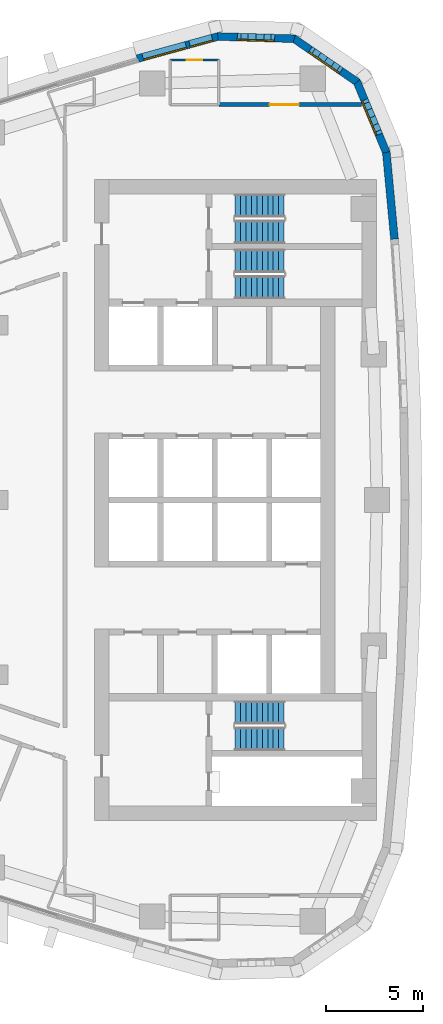
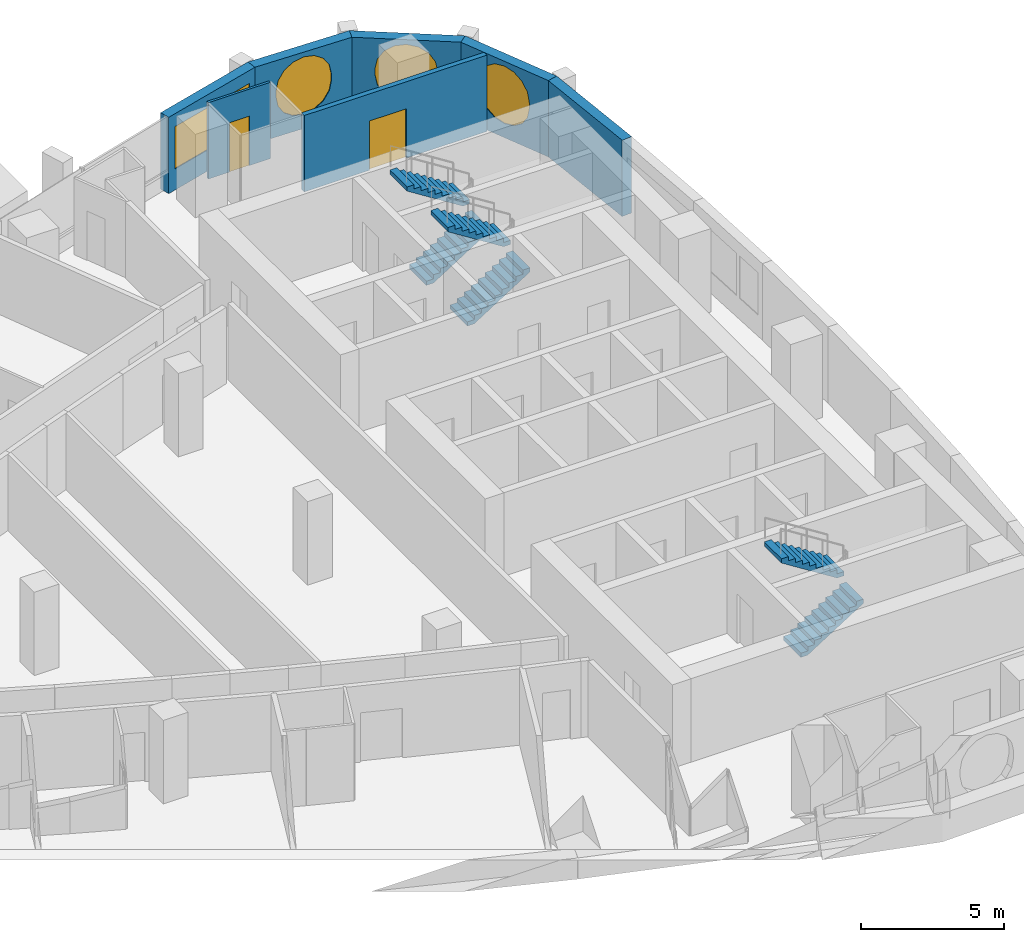
# One storey, part 13 of 17: 7 walls, 6 stair flights, 5 windows, 2 doors, 7 openings, 3 elements without a shape of their own.
"""IFC4 building model written with IfcOpenShell, lengths in metres."""

from ifc_helpers import new_model, si_unit, direction, frame, frame_2d, origin, place, context, subcontext, project, spatial, polyline, rectangle, outline, extrude, material, layer, layer_set, type_object, element, fill, aggregate, save


model = new_model("IFC4")

# Units and contexts
model_context = context("Model", 3, precision=1e-05, world=origin(), true_north=direction((0.0, 1.0)))
body_context = subcontext(model_context, "Body", "Model", "MODEL_VIEW")
ifc_project = project(units=[si_unit("LENGTHUNIT", "METRE"), si_unit("AREAUNIT", "SQUARE_METRE"), si_unit("VOLUMEUNIT", "CUBIC_METRE"), si_unit("PLANEANGLEUNIT", "RADIAN"), si_unit("MASSUNIT", "GRAM", prefix="KILO")], contexts=[model_context])

# Site, building, storey
site_placement = place(None, origin())
site = spatial("IfcSite", under=ifc_project, at=site_placement, CompositionType="ELEMENT")
building_placement = place(site_placement, origin())
building = spatial("IfcBuilding", under=site, at=building_placement, Name="Ostrand Prow Hotel Tower", CompositionType="ELEMENT")
storey_placement = place(building_placement, frame((0.0, 0.0, 196.800048828125)))
storey = spatial("IfcBuildingStorey", under=building, at=storey_placement, Name="L49", CompositionType="ELEMENT", Elevation=196.800048828125)

# Wall, opening, door
ifc_material_1 = material(Name="Plasterboard partition")
ifc_layer_1 = layer(ifc_material_1, 0.10009765625)
ifc_layer_set_1 = layer_set([ifc_layer_1], Name="Plasterboard partition")
wall_type_1 = type_object("IfcWallType", Name="Partition 100 bathroom wall", PredefinedType="PARTITIONING", material=ifc_layer_set_1)
wall_1_placement = place(storey_placement, frame((53.85009765625, 22.64990234375, 0.0), z_axis=(0.0, 0.0, 1.0), x_axis=(1.0, 0.0, 0.0)))
wall_1 = element("IfcWall", 1, at=wall_1_placement, inside=storey, type_object=wall_type_1, Name="BATHROOM WALL", PredefinedType="PARTITIONING", context=body_context, shape_type="SweptSolid", body=[
    extrude(rectangle(XDim=2.5, YDim=0.10009765625, at=frame_2d((1.25, 0.0))), origin(), (0.0, 0.0, 1.0), 3.25),
])
opening_1_placement = place(wall_1_placement, frame((0.85009765625, 0.0, 0.0)))
opening_1 = element("IfcOpeningElement", 2, at=opening_1_placement, cuts=wall_1, Name="Opening D2", PredefinedType="OPENING", context=body_context, shape_type="SweptSolid", body=[
    extrude(rectangle(XDim=0.800048828125, YDim=2.10009765625, at=frame_2d((0.39990234375, 1.050048828125))), frame((0.0, 0.06005859375, 0.0), z_axis=(0.0, -1.0, 0.0), x_axis=(1.0, 0.0, 0.0)), (0.0, 0.0, 1.0), 0.1201171875),
])
ifc_material_2 = material(Name="Timber door leaf", Category="wood")
door_type_1 = type_object("IfcDoorType", Name="Bathroom door 800", OperationType="SINGLE_SWING_LEFT", PredefinedType="DOOR", material=ifc_material_2)
door_1_placement = place(opening_1_placement, origin())
door_1 = element("IfcDoor", 3, at=door_1_placement, inside=storey, type_object=door_type_1, Name="DOOR", OperationType="SINGLE_SWING_LEFT", OverallHeight=2.10009765625, OverallWidth=0.800048828125, PredefinedType="DOOR", context=body_context, shape_type="SweptSolid", body=[
    extrude(rectangle(XDim=0.800048828125, YDim=2.10009765625, at=frame_2d((0.39990234375, 1.050048828125))), frame((0.0, 0.02490234375, 0.0), z_axis=(0.0, -1.0, 0.0), x_axis=(1.0, 0.0, 0.0)), (0.0, 0.0, 1.0), 0.050048828125),
])
fill(opening_1, door_1)

ifc_material_3 = material(Name="Plasterboard partition")
ifc_layer_2 = layer(ifc_material_3, 0.199951171875)
ifc_layer_set_2 = layer_set([ifc_layer_2], Name="Plasterboard partition")
wall_type_2 = type_object("IfcWallType", Name="Partition 200 corridor wall", PredefinedType="PARTITIONING", material=ifc_layer_set_2)
wall_2_placement = place(storey_placement, frame((63.70947265625, 20.35498046875, 0.0), z_axis=(0.0, 0.0, 1.0), x_axis=(-1.0, 0.0, 0.0)))
wall_2 = element("IfcWall", 4, at=wall_2_placement, inside=storey, type_object=wall_type_2, Name="CORRIDOR WALL", PredefinedType="PARTITIONING", context=body_context, shape_type="SweptSolid", body=[
    extrude(rectangle(XDim=7.3544921875, YDim=0.199951171875, at=frame_2d((3.67724609375, 0.0))), origin(), (0.0, 0.0, 1.0), 3.25),
])
opening_2_placement = place(wall_2_placement, frame((3.230712890625, 0.0, 0.0)))
opening_2 = element("IfcOpeningElement", 5, at=opening_2_placement, cuts=wall_2, Name="Opening D15", PredefinedType="OPENING", context=body_context, shape_type="SweptSolid", body=[
    extrude(rectangle(XDim=1.5, YDim=2.10009765625, at=frame_2d((0.75, 1.050048828125))), frame((0.0, 0.10986328125, 0.0), z_axis=(0.0, -1.0, 0.0), x_axis=(1.0, 0.0, 0.0)), (0.0, 0.0, 1.0), 0.219970703125),
])
ifc_material_4 = material(Name="Timber door leaf", Category="wood")
door_type_2 = type_object("IfcDoorType", Name="Double door 1500", OperationType="DOUBLE_DOOR_SINGLE_SWING", PredefinedType="DOOR", material=ifc_material_4)
door_2_placement = place(opening_2_placement, origin())
door_2 = element("IfcDoor", 6, at=door_2_placement, inside=storey, type_object=door_type_2, Name="DOOR", OperationType="DOUBLE_DOOR_SINGLE_SWING", OverallHeight=2.10009765625, OverallWidth=1.5, PredefinedType="DOOR", context=body_context, shape_type="SweptSolid", body=[
    extrude(rectangle(XDim=1.5, YDim=2.10009765625, at=frame_2d((0.75, 1.050048828125))), frame((0.0, 0.02490234375, 0.0), z_axis=(0.0, -1.0, 0.0), x_axis=(1.0, 0.0, 0.0)), (0.0, 0.0, 1.0), 0.050048828125),
])
fill(opening_2, door_2)

# Wall
ifc_material_5 = material(Name="Precast concrete C40/50", Category="concrete")
ifc_layer_3 = layer(ifc_material_5, 0.39990234375)
ifc_layer_set_3 = layer_set([ifc_layer_3], Name="Precast concrete C40/50")
wall_type_3 = type_object("IfcWallType", Name="Stone-faced precast wall 400 mm", PredefinedType="NOTDEFINED", material=ifc_layer_set_3)
wall_3_placement = place(storey_placement, frame((65.400634765625, 13.4287109375, 0.0), z_axis=(0.0, 0.0, 1.0), x_axis=(-0.093605694738, 0.995609348044, 0.0)))
element("IfcWall", 7, at=wall_3_placement, inside=storey, type_object=wall_type_3, Name="Stone-faced wall back 12", PredefinedType="NOTDEFINED", context=body_context, shape_type="SweptSolid", body=[
    extrude(outline(polyline([(-0.002685546875, -0.199951171875), (4.51123046875, -0.199951171875), (4.45068359375, 0.199951171875), (0.002685546875, 0.199951171875), (-0.002685546875, -0.199951171875)])), origin(), (0.0, 0.0, 1.0), 3.25),
])

# Wall, opening, window
wall_4_placement = place(storey_placement, frame((64.981201171875, 17.889892578125, 0.0), z_axis=(0.0, 0.0, 1.0), x_axis=(-0.383997619794, 0.923334082547, 0.0)))
wall_4 = element("IfcWall", 8, at=wall_4_placement, inside=storey, type_object=wall_type_3, Name="Stone-faced wall back 13", PredefinedType="NOTDEFINED", context=body_context, shape_type="SweptSolid", body=[
    extrude(outline(polyline([(-0.0302734375, -0.199951171875), (3.98828125, -0.199951171875), (3.8701171875, 0.199951171875), (0.0302734375, 0.199951171875), (-0.0302734375, -0.199951171875)])), origin(), (0.0, 0.0, 1.0), 3.25),
])
opening_3_placement = place(wall_4_placement, frame((0.864501953125, 0.0, 0.60009765625)))
opening_3 = element("IfcOpeningElement", 9, at=opening_3_placement, cuts=wall_4, Name="Opening WP1", PredefinedType="OPENING", context=body_context, shape_type="SweptSolid", body=[
    extrude(outline(polyline([(0.0, 1.35009765625), (0.083740234375, 1.77099609375), (0.322265625, 2.127685546875), (0.678955078125, 2.3662109375), (1.10009765625, 2.449951171875), (1.52099609375, 2.3662109375), (1.877685546875, 2.127685546875), (2.1162109375, 1.77099609375), (2.199951171875, 1.35009765625), (2.199951171875, 1.10009765625), (2.1162109375, 0.678955078125), (1.877685546875, 0.322265625), (1.52099609375, 0.083740234375), (1.10009765625, 0.0), (0.678955078125, 0.083740234375), (0.322265625, 0.322265625), (0.083740234375, 0.678955078125), (0.0, 1.099853515625), (0.0, 1.35009765625)])), frame((0.0, 0.2099609375, 0.0), z_axis=(0.0, -1.0, 0.0), x_axis=(1.0, 0.0, 0.0)), (0.0, 0.0, 1.0), 0.419921875),
])
ifc_material_6 = material(Name="Insulated glass in bronze frame", Category="glass")
window_type_1 = type_object("IfcWindowType", Name="Round-ended prow window 2200x2450", PartitioningType="SINGLE_PANEL", PredefinedType="WINDOW", material=ifc_material_6)
window_1_placement = place(opening_3_placement, origin())
window_1 = element("IfcWindow", 10, at=window_1_placement, inside=storey, type_object=window_type_1, Name="Window back 13.1", OverallHeight=2.449951171875, OverallWidth=2.199951171875, PartitioningType="SINGLE_PANEL", PredefinedType="WINDOW", context=body_context, shape_type="SweptSolid", body=[
    extrude(outline(polyline([(0.0, 1.35009765625), (0.083740234375, 1.77099609375), (0.322265625, 2.127685546875), (0.678955078125, 2.3662109375), (1.10009765625, 2.449951171875), (1.52099609375, 2.3662109375), (1.877685546875, 2.127685546875), (2.1162109375, 1.77099609375), (2.199951171875, 1.35009765625), (2.199951171875, 1.10009765625), (2.1162109375, 0.678955078125), (1.877685546875, 0.322265625), (1.52099609375, 0.083740234375), (1.10009765625, 0.0), (0.678955078125, 0.083740234375), (0.322265625, 0.322265625), (0.083740234375, 0.678955078125), (0.0, 1.099853515625), (0.0, 1.35009765625)])), frame((0.0, 0.169921875, 0.0), z_axis=(0.0, -1.0, 0.0), x_axis=(1.0, 0.0, 0.0)), (0.0, 0.0, 1.0), 0.06005859375),
])
fill(opening_3, window_1)

wall_5_placement = place(storey_placement, frame((63.472412109375, 21.517822265625, 0.0), z_axis=(0.0, 0.0, 1.0), x_axis=(-0.823806162588, 0.566871596115, 0.0)))
wall_5 = element("IfcWall", 11, at=wall_5_placement, inside=storey, type_object=wall_type_3, Name="Stone-faced wall back 14", PredefinedType="NOTDEFINED", context=body_context, shape_type="SweptSolid", body=[
    extrude(outline(polyline([(-0.05908203125, -0.199951171875), (3.98828125, -0.199951171875), (3.8701171875, 0.199951171875), (0.05908203125, 0.199951171875), (-0.05908203125, -0.199951171875)])), origin(), (0.0, 0.0, 1.0), 3.25),
])
opening_4_placement = place(wall_5_placement, frame((0.864501953125, 0.0, 0.60009765625)))
opening_4 = element("IfcOpeningElement", 12, at=opening_4_placement, cuts=wall_5, Name="Opening WP1", PredefinedType="OPENING", context=body_context, shape_type="SweptSolid", body=[
    extrude(outline(polyline([(0.0, 1.35009765625), (0.083740234375, 1.77099609375), (0.322265625, 2.127685546875), (0.678955078125, 2.3662109375), (1.10009765625, 2.449951171875), (1.52099609375, 2.3662109375), (1.877685546875, 2.127685546875), (2.1162109375, 1.77099609375), (2.199951171875, 1.35009765625), (2.199951171875, 1.10009765625), (2.1162109375, 0.678955078125), (1.877685546875, 0.322265625), (1.52099609375, 0.083740234375), (1.10009765625, 0.0), (0.678955078125, 0.083740234375), (0.322265625, 0.322265625), (0.083740234375, 0.678955078125), (0.0, 1.099853515625), (0.0, 1.35009765625)])), frame((0.0, 0.2099609375, 0.0), z_axis=(0.0, -1.0, 0.0), x_axis=(1.0, 0.0, 0.0)), (0.0, 0.0, 1.0), 0.419921875),
])
window_2_placement = place(opening_4_placement, origin())
window_2 = element("IfcWindow", 13, at=window_2_placement, inside=storey, type_object=window_type_1, Name="Window back 14.1", OverallHeight=2.449951171875, OverallWidth=2.199951171875, PartitioningType="SINGLE_PANEL", PredefinedType="WINDOW", context=body_context, shape_type="SweptSolid", body=[
    extrude(outline(polyline([(0.0, 1.35009765625), (0.083740234375, 1.77099609375), (0.322265625, 2.127685546875), (0.678955078125, 2.3662109375), (1.10009765625, 2.449951171875), (1.52099609375, 2.3662109375), (1.877685546875, 2.127685546875), (2.1162109375, 1.77099609375), (2.199951171875, 1.35009765625), (2.199951171875, 1.10009765625), (2.1162109375, 0.678955078125), (1.877685546875, 0.322265625), (1.52099609375, 0.083740234375), (1.10009765625, 0.0), (0.678955078125, 0.083740234375), (0.322265625, 0.322265625), (0.083740234375, 0.678955078125), (0.0, 1.099853515625), (0.0, 1.35009765625)])), frame((0.0, 0.169921875, 0.0), z_axis=(0.0, -1.0, 0.0), x_axis=(1.0, 0.0, 0.0)), (0.0, 0.0, 1.0), 0.06005859375),
])
fill(opening_4, window_2)

wall_6_placement = place(storey_placement, frame((60.235595703125, 23.7451171875, 0.0), z_axis=(0.0, 0.0, 1.0), x_axis=(-0.999587920197, 0.028705222472, 0.0)))
wall_6 = element("IfcWall", 14, at=wall_6_placement, inside=storey, type_object=wall_type_3, Name="Stone-faced wall back 15", PredefinedType="NOTDEFINED", context=body_context, shape_type="SweptSolid", body=[
    extrude(outline(polyline([(-0.05908203125, -0.199951171875), (3.959228515625, -0.199951171875), (3.899658203125, 0.199951171875), (0.05908203125, 0.199951171875), (-0.05908203125, -0.199951171875)])), origin(), (0.0, 0.0, 1.0), 3.25),
])
opening_5_placement = place(wall_6_placement, frame((0.864501953125, 0.0, 0.60009765625)))
opening_5 = element("IfcOpeningElement", 15, at=opening_5_placement, cuts=wall_6, Name="Opening WP1", PredefinedType="OPENING", context=body_context, shape_type="SweptSolid", body=[
    extrude(outline(polyline([(0.0, 1.35009765625), (0.083740234375, 1.77099609375), (0.322265625, 2.127685546875), (0.678955078125, 2.3662109375), (1.10009765625, 2.449951171875), (1.52099609375, 2.3662109375), (1.877685546875, 2.127685546875), (2.1162109375, 1.77099609375), (2.199951171875, 1.35009765625), (2.199951171875, 1.10009765625), (2.1162109375, 0.678955078125), (1.877685546875, 0.322265625), (1.52099609375, 0.083740234375), (1.10009765625, 0.0), (0.678955078125, 0.083740234375), (0.322265625, 0.322265625), (0.083740234375, 0.678955078125), (0.0, 1.099853515625), (0.0, 1.35009765625)])), frame((0.0, 0.2099609375, 0.0), z_axis=(0.0, -1.0, 0.0), x_axis=(1.0, 0.0, 0.0)), (0.0, 0.0, 1.0), 0.419921875),
])
window_3_placement = place(opening_5_placement, origin())
window_3 = element("IfcWindow", 16, at=window_3_placement, inside=storey, type_object=window_type_1, Name="Window back 15.1", OverallHeight=2.449951171875, OverallWidth=2.199951171875, PartitioningType="SINGLE_PANEL", PredefinedType="WINDOW", context=body_context, shape_type="SweptSolid", body=[
    extrude(outline(polyline([(0.0, 1.35009765625), (0.083740234375, 1.77099609375), (0.322265625, 2.127685546875), (0.678955078125, 2.3662109375), (1.10009765625, 2.449951171875), (1.52099609375, 2.3662109375), (1.877685546875, 2.127685546875), (2.1162109375, 1.77099609375), (2.199951171875, 1.35009765625), (2.199951171875, 1.10009765625), (2.1162109375, 0.678955078125), (1.877685546875, 0.322265625), (1.52099609375, 0.083740234375), (1.10009765625, 0.0), (0.678955078125, 0.083740234375), (0.322265625, 0.322265625), (0.083740234375, 0.678955078125), (0.0, 1.099853515625), (0.0, 1.35009765625)])), frame((0.0, 0.169921875, 0.0), z_axis=(0.0, -1.0, 0.0), x_axis=(1.0, 0.0, 0.0)), (0.0, 0.0, 1.0), 0.06005859375),
])
fill(opening_5, window_3)

# Wall, openings, windows
wall_7_placement = place(storey_placement, frame((56.307861328125, 23.85791015625, 0.0), z_axis=(0.0, 0.0, 1.0), x_axis=(-0.964205755089, -0.265155165617, 0.0)))
wall_7 = element("IfcWall", 17, at=wall_7_placement, inside=storey, type_object=wall_type_3, Name="Stone-faced wall back 16", PredefinedType="NOTDEFINED", context=body_context, shape_type="SweptSolid", body=[
    extrude(outline(polyline([(-0.02978515625, -0.199951171875), (4.30712890625, -0.199951171875), (4.30712890625, 0.199951171875), (0.02978515625, 0.199951171875), (-0.02978515625, -0.199951171875)])), origin(), (0.0, 0.0, 1.0), 3.25),
])
opening_6_placement = place(wall_7_placement, frame((0.303466796875, 0.0, 0.89990234375)))
opening_6 = element("IfcOpeningElement", 18, at=opening_6_placement, cuts=wall_7, Name="Opening WS4", PredefinedType="OPENING", context=body_context, shape_type="SweptSolid", body=[
    extrude(rectangle(XDim=1.199951171875, YDim=1.800048828125, at=frame_2d((0.60009765625, 0.89990234375))), frame((0.0, 0.2099609375, 0.0), z_axis=(0.0, -1.0, 0.0), x_axis=(1.0, 0.0, 0.0)), (0.0, 0.0, 1.0), 0.419921875),
])
opening_7_placement = place(wall_7_placement, frame((1.70361328125, 0.0, 0.89990234375)))
opening_7 = element("IfcOpeningElement", 19, at=opening_7_placement, cuts=wall_7, Name="Opening WS5-23", PredefinedType="OPENING", context=body_context, shape_type="SweptSolid", body=[
    extrude(rectangle(XDim=2.300048828125, YDim=1.800048828125, at=frame_2d((1.14990234375, 0.89990234375))), frame((0.0, 0.2099609375, 0.0), z_axis=(0.0, -1.0, 0.0), x_axis=(1.0, 0.0, 0.0)), (0.0, 0.0, 1.0), 0.419921875),
])
ifc_material_7 = material(Name="Insulated glass in bronze frame", Category="glass")
window_type_2 = type_object("IfcWindowType", Name="Fixed strip window 2300x1800", PartitioningType="SINGLE_PANEL", PredefinedType="WINDOW", material=ifc_material_7)
window_4_placement = place(opening_7_placement, origin())
window_4 = element("IfcWindow", 20, at=window_4_placement, inside=storey, type_object=window_type_2, Name="Window back 16.2", OverallHeight=1.800048828125, OverallWidth=2.300048828125, PartitioningType="SINGLE_PANEL", PredefinedType="WINDOW", context=body_context, shape_type="SweptSolid", body=[
    extrude(rectangle(XDim=2.300048828125, YDim=1.800048828125, at=frame_2d((1.14990234375, 0.89990234375))), frame((0.0, 0.169921875, 0.0), z_axis=(0.0, -1.0, 0.0), x_axis=(1.0, 0.0, 0.0)), (0.0, 0.0, 1.0), 0.06005859375),
])
fill(opening_7, window_4)
ifc_material_8 = material(Name="Insulated glass in bronze frame", Category="glass")
window_type_3 = type_object("IfcWindowType", Name="Operable strip panel 1200x1800", PartitioningType="SINGLE_PANEL", PredefinedType="WINDOW", material=ifc_material_8)
window_5_placement = place(opening_6_placement, origin())
window_5 = element("IfcWindow", 21, at=window_5_placement, inside=storey, type_object=window_type_3, Name="Window back 16.1", OverallHeight=1.800048828125, OverallWidth=1.199951171875, PartitioningType="SINGLE_PANEL", PredefinedType="WINDOW", context=body_context, shape_type="SweptSolid", body=[
    extrude(rectangle(XDim=1.199951171875, YDim=1.800048828125, at=frame_2d((0.60009765625, 0.89990234375))), frame((0.0, 0.169921875, 0.0), z_axis=(0.0, -1.0, 0.0), x_axis=(1.0, 0.0, 0.0)), (0.0, 0.0, 1.0), 0.06005859375),
])
fill(opening_6, window_5)

# Stair, stair flights
ifc_material_9 = material(Name="Concrete C40/50", Category="concrete")
stair_type = type_object("IfcStairType", Name="Exit stair 1200 upper zone", PredefinedType="HALF_TURN_STAIR", material=ifc_material_9)
stair_1_placement = place(storey_placement, origin())
stair_1 = element("IfcStair", 22, at=stair_1_placement, inside=storey, type_object=stair_type, Name="L49 ST1C", PredefinedType="HALF_TURN_STAIR")
ifc_material_10 = material(Name="Concrete C40/50", Category="concrete")
stair_flight_type = type_object("IfcStairFlightType", Name="Stair flight 1200 concrete", PredefinedType="STRAIGHT", material=ifc_material_10)
stair_flight_1_placement = place(storey_placement, frame((57.199951171875, 10.949951171875, 0.0), z_axis=(0.0, 0.0, 1.0), x_axis=(1.0, 0.0, 0.0)))
stair_flight_1 = element("IfcStairFlight", 23, at=stair_flight_1_placement, type_object=stair_flight_type, Name="ST1C flight 1", NumberOfRisers=10, NumberOfTreads=9, PredefinedType="STRAIGHT", RiserHeight=0.1775, TreadLength=0.28, context=body_context, shape_type="SweptSolid", body=[
    extrude(outline(polyline([(0.0, 0.0), (0.0, 0.177490234375), (0.280029296875, 0.177490234375), (0.280029296875, 0.35498046875), (0.56005859375, 0.35498046875), (0.56005859375, 0.532470703125), (0.840087890625, 0.532470703125), (0.840087890625, 0.7099609375), (1.1201171875, 0.7099609375), (1.1201171875, 0.887451171875), (1.39990234375, 0.887451171875), (1.39990234375, 1.06494140625), (1.679931640625, 1.06494140625), (1.679931640625, 1.242431640625), (1.9599609375, 1.242431640625), (1.9599609375, 1.419921875), (2.239990234375, 1.419921875), (2.239990234375, 1.597412109375), (2.52001953125, 1.597412109375), (2.52001953125, 1.77490234375), (2.52001953125, 1.419921875), (0.280029296875, 0.0), (0.0, 0.0)])), frame((0.0, 0.60009765625, 0.0), z_axis=(0.0, -1.0, 0.0), x_axis=(1.0, 0.0, 0.0)), (0.0, 0.0, 1.0), 1.199951171875),
])
stair_flight_2_placement = place(storey_placement, frame((59.719970703125, 12.300048828125, 1.77490234375), z_axis=(0.0, 0.0, 1.0), x_axis=(-1.0, 0.0, 0.0)))
stair_flight_2 = element("IfcStairFlight", 24, at=stair_flight_2_placement, type_object=stair_flight_type, Name="ST1C flight 2", NumberOfRisers=10, NumberOfTreads=9, PredefinedType="STRAIGHT", RiserHeight=0.1775, TreadLength=0.28, context=body_context, shape_type="SweptSolid", body=[
    extrude(outline(polyline([(0.0, 0.0), (0.0, 0.177490234375), (0.280029296875, 0.177490234375), (0.280029296875, 0.35498046875), (0.56005859375, 0.35498046875), (0.56005859375, 0.532470703125), (0.840087890625, 0.532470703125), (0.840087890625, 0.7099609375), (1.1201171875, 0.7099609375), (1.1201171875, 0.887451171875), (1.39990234375, 0.887451171875), (1.39990234375, 1.06494140625), (1.679931640625, 1.06494140625), (1.679931640625, 1.242431640625), (1.9599609375, 1.242431640625), (1.9599609375, 1.419921875), (2.239990234375, 1.419921875), (2.239990234375, 1.597412109375), (2.52001953125, 1.597412109375), (2.52001953125, 1.77490234375), (2.52001953125, 1.419921875), (0.280029296875, 0.0), (0.0, 0.0)])), frame((0.0, 0.60009765625, 0.0), z_axis=(0.0, -1.0, 0.0), x_axis=(1.0, 0.0, 0.0)), (0.0, 0.0, 1.0), 1.199951171875),
])
aggregate(stair_1, [stair_flight_1, stair_flight_2])

stair_2_placement = place(storey_placement, origin())
stair_2 = element("IfcStair", 25, at=stair_2_placement, inside=storey, type_object=stair_type, Name="L49 ST3C", PredefinedType="HALF_TURN_STAIR")
stair_flight_3_placement = place(storey_placement, frame((57.199951171875, 13.800048828125, 0.0), z_axis=(0.0, 0.0, 1.0), x_axis=(1.0, 0.0, 0.0)))
stair_flight_3 = element("IfcStairFlight", 26, at=stair_flight_3_placement, type_object=stair_flight_type, Name="ST3C flight 1", NumberOfRisers=10, NumberOfTreads=9, PredefinedType="STRAIGHT", RiserHeight=0.1775, TreadLength=0.28, context=body_context, shape_type="SweptSolid", body=[
    extrude(outline(polyline([(0.0, 0.0), (0.0, 0.177490234375), (0.280029296875, 0.177490234375), (0.280029296875, 0.35498046875), (0.56005859375, 0.35498046875), (0.56005859375, 0.532470703125), (0.840087890625, 0.532470703125), (0.840087890625, 0.7099609375), (1.1201171875, 0.7099609375), (1.1201171875, 0.887451171875), (1.39990234375, 0.887451171875), (1.39990234375, 1.06494140625), (1.679931640625, 1.06494140625), (1.679931640625, 1.242431640625), (1.9599609375, 1.242431640625), (1.9599609375, 1.419921875), (2.239990234375, 1.419921875), (2.239990234375, 1.597412109375), (2.52001953125, 1.597412109375), (2.52001953125, 1.77490234375), (2.52001953125, 1.419921875), (0.280029296875, 0.0), (0.0, 0.0)])), frame((0.0, 0.60009765625, 0.0), z_axis=(0.0, -1.0, 0.0), x_axis=(1.0, 0.0, 0.0)), (0.0, 0.0, 1.0), 1.199951171875),
])
stair_flight_4_placement = place(storey_placement, frame((59.719970703125, 15.14990234375, 1.77490234375), z_axis=(0.0, 0.0, 1.0), x_axis=(-1.0, 0.0, 0.0)))
stair_flight_4 = element("IfcStairFlight", 27, at=stair_flight_4_placement, type_object=stair_flight_type, Name="ST3C flight 2", NumberOfRisers=10, NumberOfTreads=9, PredefinedType="STRAIGHT", RiserHeight=0.1775, TreadLength=0.28, context=body_context, shape_type="SweptSolid", body=[
    extrude(outline(polyline([(0.0, 0.0), (0.0, 0.177490234375), (0.280029296875, 0.177490234375), (0.280029296875, 0.35498046875), (0.56005859375, 0.35498046875), (0.56005859375, 0.532470703125), (0.840087890625, 0.532470703125), (0.840087890625, 0.7099609375), (1.1201171875, 0.7099609375), (1.1201171875, 0.887451171875), (1.39990234375, 0.887451171875), (1.39990234375, 1.06494140625), (1.679931640625, 1.06494140625), (1.679931640625, 1.242431640625), (1.9599609375, 1.242431640625), (1.9599609375, 1.419921875), (2.239990234375, 1.419921875), (2.239990234375, 1.597412109375), (2.52001953125, 1.597412109375), (2.52001953125, 1.77490234375), (2.52001953125, 1.419921875), (0.280029296875, 0.0), (0.0, 0.0)])), frame((0.0, 0.60009765625, 0.0), z_axis=(0.0, -1.0, 0.0), x_axis=(1.0, 0.0, 0.0)), (0.0, 0.0, 1.0), 1.199951171875),
])
aggregate(stair_2, [stair_flight_3, stair_flight_4])

stair_3_placement = place(storey_placement, origin())
stair_3 = element("IfcStair", 28, at=stair_3_placement, inside=storey, type_object=stair_type, Name="L49 ST2C", PredefinedType="HALF_TURN_STAIR")
stair_flight_5_placement = place(storey_placement, frame((57.199951171875, -12.300048828125, 0.0), z_axis=(0.0, 0.0, 1.0), x_axis=(1.0, 0.0, 0.0)))
stair_flight_5 = element("IfcStairFlight", 29, at=stair_flight_5_placement, type_object=stair_flight_type, Name="ST2C flight 1", NumberOfRisers=10, NumberOfTreads=9, PredefinedType="STRAIGHT", RiserHeight=0.1775, TreadLength=0.28, context=body_context, shape_type="SweptSolid", body=[
    extrude(outline(polyline([(0.0, 0.0), (0.0, 0.177490234375), (0.280029296875, 0.177490234375), (0.280029296875, 0.35498046875), (0.56005859375, 0.35498046875), (0.56005859375, 0.532470703125), (0.840087890625, 0.532470703125), (0.840087890625, 0.7099609375), (1.1201171875, 0.7099609375), (1.1201171875, 0.887451171875), (1.39990234375, 0.887451171875), (1.39990234375, 1.06494140625), (1.679931640625, 1.06494140625), (1.679931640625, 1.242431640625), (1.9599609375, 1.242431640625), (1.9599609375, 1.419921875), (2.239990234375, 1.419921875), (2.239990234375, 1.597412109375), (2.52001953125, 1.597412109375), (2.52001953125, 1.77490234375), (2.52001953125, 1.419921875), (0.280029296875, 0.0), (0.0, 0.0)])), frame((0.0, 0.60009765625, 0.0), z_axis=(0.0, -1.0, 0.0), x_axis=(1.0, 0.0, 0.0)), (0.0, 0.0, 1.0), 1.199951171875),
])
stair_flight_6_placement = place(storey_placement, frame((59.719970703125, -10.949951171875, 1.77490234375), z_axis=(0.0, 0.0, 1.0), x_axis=(-1.0, 0.0, 0.0)))
stair_flight_6 = element("IfcStairFlight", 30, at=stair_flight_6_placement, type_object=stair_flight_type, Name="ST2C flight 2", NumberOfRisers=10, NumberOfTreads=9, PredefinedType="STRAIGHT", RiserHeight=0.1775, TreadLength=0.28, context=body_context, shape_type="SweptSolid", body=[
    extrude(outline(polyline([(0.0, 0.0), (0.0, 0.177490234375), (0.280029296875, 0.177490234375), (0.280029296875, 0.35498046875), (0.56005859375, 0.35498046875), (0.56005859375, 0.532470703125), (0.840087890625, 0.532470703125), (0.840087890625, 0.7099609375), (1.1201171875, 0.7099609375), (1.1201171875, 0.887451171875), (1.39990234375, 0.887451171875), (1.39990234375, 1.06494140625), (1.679931640625, 1.06494140625), (1.679931640625, 1.242431640625), (1.9599609375, 1.242431640625), (1.9599609375, 1.419921875), (2.239990234375, 1.419921875), (2.239990234375, 1.597412109375), (2.52001953125, 1.597412109375), (2.52001953125, 1.77490234375), (2.52001953125, 1.419921875), (0.280029296875, 0.0), (0.0, 0.0)])), frame((0.0, 0.60009765625, 0.0), z_axis=(0.0, -1.0, 0.0), x_axis=(1.0, 0.0, 0.0)), (0.0, 0.0, 1.0), 1.199951171875),
])
aggregate(stair_3, [stair_flight_5, stair_flight_6])

save(model, "model.ifc")
